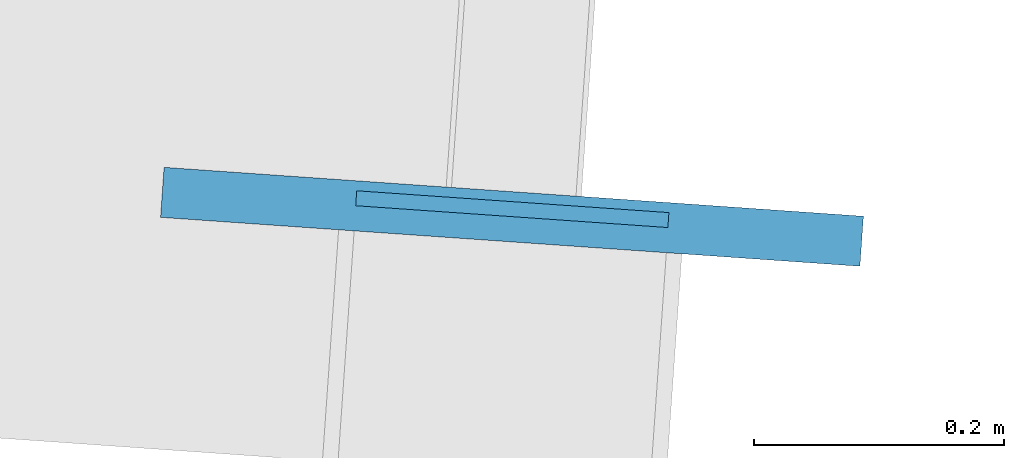
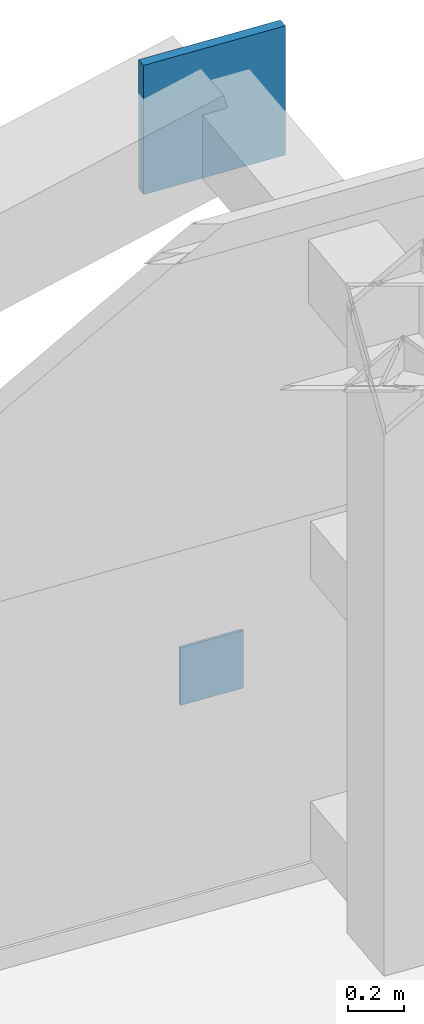
# One storey, part 34 of 39: 2 plates.
"""IFC4 building model written with IfcOpenShell, lengths in metres."""

import ifcopenshell
import ifcopenshell.guid

model = None  # the IFC model being written
_history = None  # IfcOwnerHistory: only IFC2X3 demands one
_inside = {}  # id of a spatial element -> (the spatial element, [elements in it])
_under = {}  # id of a project, library or spatial element -> (it, [spatial elements below it])
_declared = {}  # id of a project -> (the project, [libraries it declares])
_typed = {}  # id of a type object -> (the type object, [elements of that type])
_made_of = {}  # id of a material, layer set ... -> (it, [elements and type objects made of it])


def new_model(schema):
    """Start an empty IFC model of exactly this schema.

    Asked for "IFC4X3", IfcOpenShell would pick the latest addendum, in which some entities
    have other attributes; the version numbers below select the first issue.
    IFC2X3 requires an IfcOwnerHistory on every rooted entity: one is made here for all.
    """
    global model, _history
    if schema == "IFC4X3":
        model = ifcopenshell.file(schema_version=(4, 3, 0, 0))
    else:
        model = ifcopenshell.file(schema=schema)
    _inside.clear()
    _under.clear()
    _declared.clear()
    _typed.clear()
    _made_of.clear()
    _history = None
    if model.schema == "IFC2X3":
        org = make("IfcOrganization", Name="unknown")
        user = make(
            "IfcPersonAndOrganization",
            ThePerson=make("IfcPerson", FamilyName="unknown"),
            TheOrganization=org,
        )
        app = make(
            "IfcApplication",
            ApplicationDeveloper=org,
            Version="unknown",
            ApplicationFullName="unknown",
            ApplicationIdentifier="unknown",
        )
        _history = make(
            "IfcOwnerHistory",
            OwningUser=user,
            OwningApplication=app,
            ChangeAction="ADDED",
            CreationDate=0,
        )
    return model


def make(cls, **values):
    """One entity of the class cls with the attributes given. An attribute that is None is left unset."""
    return model.create_entity(
        cls, **{name: value for name, value in values.items() if value is not None}
    )


def rooted(cls, **values):
    """An entity with a GlobalId (a new one), such as an element, a storey or a relation."""
    return make(cls, GlobalId=ifcopenshell.guid.new(), OwnerHistory=_history, **values)


def si_unit(unit_type, name, prefix=None):
    """IfcSIUnit, for example si_unit("LENGTHUNIT", "METRE", prefix="MILLI")."""
    return make("IfcSIUnit", UnitType=unit_type, Prefix=prefix, Name=name)


def assignment(units):
    """IfcUnitAssignment: the units of a project."""
    return None if units is None else make("IfcUnitAssignment", Units=units)


def point(xyz):
    """IfcCartesianPoint."""
    return None if xyz is None else make("IfcCartesianPoint", Coordinates=xyz)


def direction(xyz):
    """IfcDirection."""
    return None if xyz is None else make("IfcDirection", DirectionRatios=xyz)


def frame(location, z_axis=None, x_axis=None):
    """IfcAxis2Placement3D, a coordinate frame: its origin and axes. An axis left out is left unset."""
    return make(
        "IfcAxis2Placement3D",
        Location=point(location),
        Axis=direction(z_axis),
        RefDirection=direction(x_axis),
    )


def frame_2d(location, x_axis=None):
    """IfcAxis2Placement2D, a coordinate frame in the plane: its origin and x axis."""
    return make(
        "IfcAxis2Placement2D", Location=point(location), RefDirection=direction(x_axis)
    )


def origin():
    """The frame at (0, 0, 0) with its axes left unset."""
    return frame((0.0, 0.0, 0.0))


def origin_2d():
    """The frame at (0, 0) in the plane with its x axis left unset."""
    return frame_2d((0.0, 0.0))


def place(relative_to, where):
    """IfcLocalPlacement: puts the frame where relative to a parent placement (None: the world)."""
    return make(
        "IfcLocalPlacement", PlacementRelTo=relative_to, RelativePlacement=where
    )


def context(
    kind, dimensions, precision=None, world=None, true_north=None, identifier=None
):
    """IfcGeometricRepresentationContext, for example the 3D "Model" context."""
    return make(
        "IfcGeometricRepresentationContext",
        ContextIdentifier=identifier,
        ContextType=kind,
        CoordinateSpaceDimension=dimensions,
        Precision=precision,
        WorldCoordinateSystem=world,
        TrueNorth=true_north,
    )


def subcontext(parent, identifier, kind, view, scale=None):
    """IfcGeometricRepresentationSubContext, for example "Body" below "Model"."""
    return make(
        "IfcGeometricRepresentationSubContext",
        ContextIdentifier=identifier,
        ContextType=kind,
        ParentContext=parent,
        TargetScale=scale,
        TargetView=view,
    )


def project(units=None, contexts=None):
    """IfcProject with its units and contexts."""
    return rooted(
        "IfcProject",
        Name="project",
        RepresentationContexts=contexts,
        UnitsInContext=assignment(units),
    )


def spatial(cls, under=None, at=None, **own):
    """A site, building, storey or space (cls), placed at a placement, below another one or the project."""
    s = rooted(cls, ObjectPlacement=at, **own)
    if under is not None:
        _under.setdefault(under.id(), (under, []))[1].append(s)
    return s


def profile(cls, at=None, kind="AREA", **sizes):
    """A parametric profile (cls). Its sizes go by their IFC names, for example OverallWidth=200.0."""
    return make(cls, ProfileType=kind, Position=at, **sizes)


def rectangle(**sizes):
    """IfcRectangleProfileDef."""
    return profile("IfcRectangleProfileDef", **sizes)


def extrude(swept, where, along, depth):
    """IfcExtrudedAreaSolid: the profile swept, set in the frame where, extruded along a direction by depth."""
    return make(
        "IfcExtrudedAreaSolid",
        SweptArea=swept,
        Position=where,
        ExtrudedDirection=direction(along),
        Depth=depth,
    )


def shape(context_of_items, identifier, shape_type, items):
    """IfcShapeRepresentation: the items that make up one representation, for example the "Body"."""
    return make(
        "IfcShapeRepresentation",
        ContextOfItems=context_of_items,
        RepresentationIdentifier=identifier,
        RepresentationType=shape_type,
        Items=items,
    )


def source(mapping_origin, context_of_items, identifier, shape_type, items):
    """IfcRepresentationMap: a shape defined once, which mapped items show again and again."""
    return make(
        "IfcRepresentationMap",
        MappingOrigin=mapping_origin,
        MappedRepresentation=shape(context_of_items, identifier, shape_type, items),
    )


def transform(
    local_origin,
    x_axis=None,
    y_axis=None,
    z_axis=None,
    scale=None,
    scale2=None,
    scale3=None,
    uniform=True,
):
    """IfcCartesianTransformationOperator3D, or its non-uniform kind. x_axis, y_axis, z_axis: its Axis1, 2, 3."""
    if uniform:
        return make(
            "IfcCartesianTransformationOperator3D",
            Axis1=direction(x_axis),
            Axis2=direction(y_axis),
            LocalOrigin=point(local_origin),
            Scale=scale,
            Axis3=direction(z_axis),
        )
    return make(
        "IfcCartesianTransformationOperator3DnonUniform",
        Axis1=direction(x_axis),
        Axis2=direction(y_axis),
        LocalOrigin=point(local_origin),
        Scale=scale,
        Axis3=direction(z_axis),
        Scale2=scale2,
        Scale3=scale3,
    )


def mapped(mapping_source, mapping_target):
    """IfcMappedItem: shows the shape of a source again, moved by a transform."""
    return make(
        "IfcMappedItem", MappingSource=mapping_source, MappingTarget=mapping_target
    )


def material(Name=None, Category=None):
    """IfcMaterial."""
    return make("IfcMaterial", Name=Name, Category=Category)


def layer(
    of_material, thickness, ventilated=None, Name=None, Category=None, Priority=None
):
    """IfcMaterialLayer: one layer of a wall or slab, of a material (None: an air gap)."""
    return make(
        "IfcMaterialLayer",
        Material=of_material,
        LayerThickness=thickness,
        IsVentilated=ventilated,
        Name=Name,
        Category=Category,
        Priority=Priority,
    )


def layer_set(layers, Name=None):
    """IfcMaterialLayerSet."""
    return make("IfcMaterialLayerSet", MaterialLayers=layers, LayerSetName=Name)


def made_of(thing, what):
    """Note that an element or type object is made of a material, layer set ...; save() writes the relation."""
    if what is not None:
        _made_of.setdefault(what.id(), (what, []))[1].append(thing)
    return thing


def type_object(cls, material=None, **own):
    """A type object (cls), such as IfcWallType, which elements share."""
    return made_of(rooted(cls, **own), material)


def element(
    cls,
    number,
    at=None,
    inside=None,
    cuts=None,
    type_object=None,
    material=None,
    context=None,
    identifier="Body",
    shape_type=None,
    held_by="IfcProductDefinitionShape",
    body=None,
    shapes=None,
    **own,
):
    """One element of the class cls, such as IfcWall. Its Tag is "e" and its number.

    at: its placement. inside: the storey or other place that contains it. cuts: it is an
    opening in that element (IfcRelVoidsElement). A single representation is given by context,
    identifier, shape_type and body (its items); several are given by shapes. held_by: the class
    of the entity that holds the representations. save() writes the other relations.
    """
    e = rooted(cls, Tag="e%d" % number, ObjectPlacement=at, **own)
    if body is not None:
        shapes = [shape(context, identifier, shape_type, body)]
    if shapes is not None:
        e.Representation = make(held_by, Representations=shapes)
    if inside is not None:
        _inside.setdefault(inside.id(), (inside, []))[1].append(e)
    if cuts is not None:
        rooted(
            "IfcRelVoidsElement", RelatingBuildingElement=cuts, RelatedOpeningElement=e
        )
    if type_object is not None:
        _typed.setdefault(type_object.id(), (type_object, []))[1].append(e)
    return made_of(e, material)


def aggregate(whole, parts):
    """IfcRelAggregates: a whole, such as a stair, and the parts it consists of."""
    return rooted("IfcRelAggregates", RelatingObject=whole, RelatedObjects=parts)


def save(model, path):
    """Write the relations noted so far, then the file.

    IfcRelAggregates (storeys below a building ...), IfcRelContainedInSpatialStructure (elements
    in a storey), IfcRelDefinesByType, IfcRelAssociatesMaterial and IfcRelDeclares: one each for
    every whole, place, type object, material and project.
    """
    for whole, parts in _under.values():
        aggregate(whole, parts)
    for where, things in _inside.values():
        rooted(
            "IfcRelContainedInSpatialStructure",
            RelatedElements=things,
            RelatingStructure=where,
        )
    for kind, things in _typed.values():
        rooted("IfcRelDefinesByType", RelatedObjects=things, RelatingType=kind)
    for what, things in _made_of.values():
        rooted("IfcRelAssociatesMaterial", RelatedObjects=things, RelatingMaterial=what)
    for by, libraries in _declared.values():
        rooted("IfcRelDeclares", RelatingContext=by, RelatedDefinitions=libraries)
    model.write(path)


model = new_model("IFC4")

# Units and contexts
model_context = context("Model", 3, precision=1e-05, world=origin(), true_north=direction((0.0, 1.0)))
body_context = subcontext(model_context, "Body", "Model", "MODEL_VIEW")
ifc_project = project(units=[si_unit("LENGTHUNIT", "METRE"), si_unit("AREAUNIT", "SQUARE_METRE"), si_unit("VOLUMEUNIT", "CUBIC_METRE"), si_unit("PLANEANGLEUNIT", "RADIAN"), si_unit("MASSUNIT", "GRAM", prefix="KILO")], contexts=[model_context])

# Site, building, storey
site_placement = place(None, origin())
site = spatial("IfcSite", under=ifc_project, at=site_placement, CompositionType="ELEMENT")
building_placement = place(site_placement, origin())
building = spatial("IfcBuilding", under=site, at=building_placement, Name="Taldren Reach Tower", CompositionType="ELEMENT")
storey_placement = place(building_placement, frame((0.0, 0.0, 151.89990234375)))
storey = spatial("IfcBuildingStorey", under=building, at=storey_placement, Name="L46", CompositionType="ELEMENT", Elevation=151.89990234375)

# Plates
ifc_material_1 = material(Name="Steel Gr 450 (C450L0)", Category="steel")
ifc_layer_1 = layer(ifc_material_1, 0.0400390625)
ifc_layer_set_1 = layer_set([ifc_layer_1], Name="Steel Gr 450 (C450L0)")
plate_type_1 = type_object("IfcPlateType", Name="PL-GUSSET-40", PredefinedType="SHEET", material=ifc_layer_set_1)
shared_shape_1 = source(origin(), body_context, "Body", "SweptSolid", [
    extrude(rectangle(XDim=0.56005859375, YDim=0.0400390625, at=origin_2d()), origin(), (0.0, 0.0, 1.0), 0.56005859375),
])
plate_1_placement = place(storey_placement, frame((58.544677734375, 36.40771484375, 2.3701171875), z_axis=(0.0, 0.0, 1.0), x_axis=(0.99756405026, -0.069756473744, 0.0)))
element("IfcPlate", 1, at=plate_1_placement, inside=storey, type_object=plate_type_1, Name="Exoskeleton star-node gusset plate B3-N6 L46", PredefinedType="SHEET", context=body_context, shape_type="MappedRepresentation", body=[
    mapped(shared_shape_1, transform((0.0, 0.0, 0.0), scale=1.0)),
])
ifc_material_2 = material(Name="Steel Gr 350 (C350L0)", Category="steel")
ifc_layer_2 = layer(ifc_material_2, 0.011962890625)
ifc_layer_set_2 = layer_set([ifc_layer_2], Name="Steel Gr 350 (C350L0)")
plate_type_2 = type_object("IfcPlateType", Name="PL-CAP-250", PredefinedType="SHEET", material=ifc_layer_set_2)
shared_shape_2 = source(origin(), body_context, "Body", "SweptSolid", [
    extrude(rectangle(XDim=0.25, YDim=0.011962890625, at=origin_2d()), origin(), (0.0, 0.0, 1.0), 0.25),
])
plate_2_placement = place(storey_placement, frame((58.544921875, 36.413818359375, 0.09521484375), z_axis=(0.0, 0.0, 1.0), x_axis=(0.99756405026, -0.069756473744, 0.0)))
element("IfcPlate", 2, at=plate_2_placement, inside=storey, type_object=plate_type_2, Name="Tie strut end cap plate B3-N6 L46", PredefinedType="SHEET", context=body_context, shape_type="MappedRepresentation", body=[
    mapped(shared_shape_2, transform((0.0, 0.0, 0.0), scale=1.0)),
])

save(model, "model.ifc")
